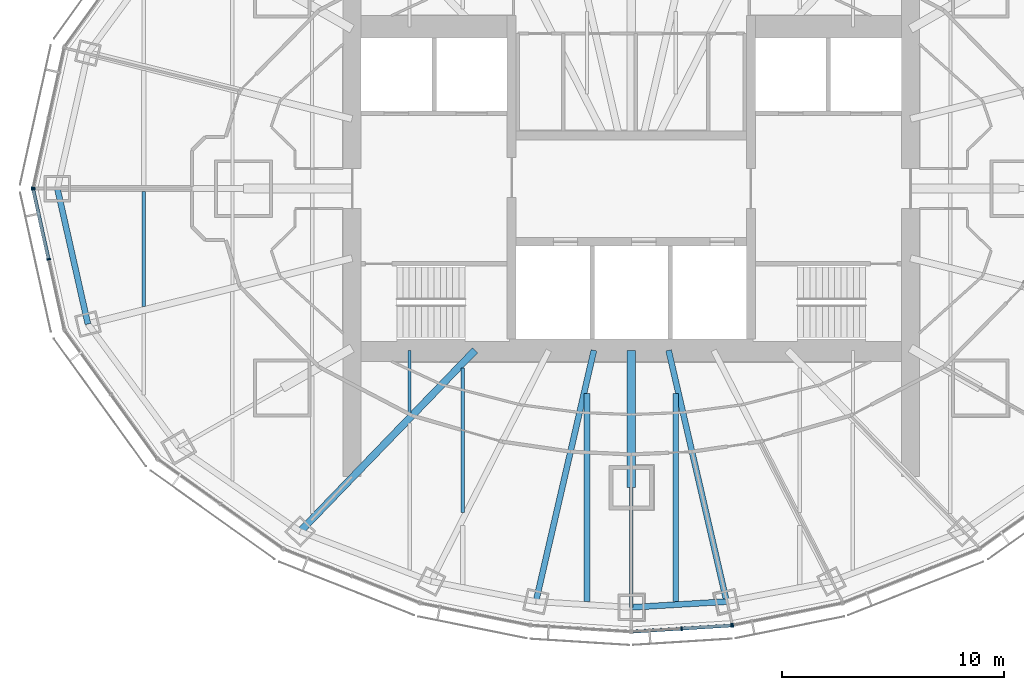
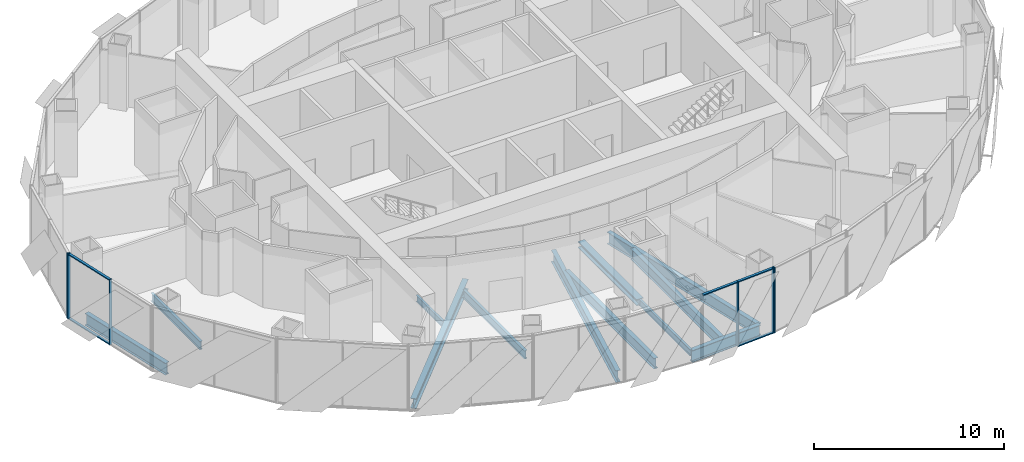
# One storey, part 3 of 17: 12 beams, 11 members, 4 elements without a shape of their own.
"""IFC4 building model written with IfcOpenShell, lengths in metres."""

import ifcopenshell
import ifcopenshell.guid

model = None  # the IFC model being written
_history = None  # IfcOwnerHistory: only IFC2X3 demands one
_inside = {}  # id of a spatial element -> (the spatial element, [elements in it])
_under = {}  # id of a project, library or spatial element -> (it, [spatial elements below it])
_declared = {}  # id of a project -> (the project, [libraries it declares])
_typed = {}  # id of a type object -> (the type object, [elements of that type])
_made_of = {}  # id of a material, layer set ... -> (it, [elements and type objects made of it])


def new_model(schema):
    """Start an empty IFC model of exactly this schema.

    Asked for "IFC4X3", IfcOpenShell would pick the latest addendum, in which some entities
    have other attributes; the version numbers below select the first issue.
    IFC2X3 requires an IfcOwnerHistory on every rooted entity: one is made here for all.
    """
    global model, _history
    if schema == "IFC4X3":
        model = ifcopenshell.file(schema_version=(4, 3, 0, 0))
    else:
        model = ifcopenshell.file(schema=schema)
    _inside.clear()
    _under.clear()
    _declared.clear()
    _typed.clear()
    _made_of.clear()
    _history = None
    if model.schema == "IFC2X3":
        org = make("IfcOrganization", Name="unknown")
        user = make(
            "IfcPersonAndOrganization",
            ThePerson=make("IfcPerson", FamilyName="unknown"),
            TheOrganization=org,
        )
        app = make(
            "IfcApplication",
            ApplicationDeveloper=org,
            Version="unknown",
            ApplicationFullName="unknown",
            ApplicationIdentifier="unknown",
        )
        _history = make(
            "IfcOwnerHistory",
            OwningUser=user,
            OwningApplication=app,
            ChangeAction="ADDED",
            CreationDate=0,
        )
    return model


def make(cls, **values):
    """One entity of the class cls with the attributes given. An attribute that is None is left unset."""
    return model.create_entity(
        cls, **{name: value for name, value in values.items() if value is not None}
    )


def rooted(cls, **values):
    """An entity with a GlobalId (a new one), such as an element, a storey or a relation."""
    return make(cls, GlobalId=ifcopenshell.guid.new(), OwnerHistory=_history, **values)


def si_unit(unit_type, name, prefix=None):
    """IfcSIUnit, for example si_unit("LENGTHUNIT", "METRE", prefix="MILLI")."""
    return make("IfcSIUnit", UnitType=unit_type, Prefix=prefix, Name=name)


def assignment(units):
    """IfcUnitAssignment: the units of a project."""
    return None if units is None else make("IfcUnitAssignment", Units=units)


def point(xyz):
    """IfcCartesianPoint."""
    return None if xyz is None else make("IfcCartesianPoint", Coordinates=xyz)


def direction(xyz):
    """IfcDirection."""
    return None if xyz is None else make("IfcDirection", DirectionRatios=xyz)


def frame(location, z_axis=None, x_axis=None):
    """IfcAxis2Placement3D, a coordinate frame: its origin and axes. An axis left out is left unset."""
    return make(
        "IfcAxis2Placement3D",
        Location=point(location),
        Axis=direction(z_axis),
        RefDirection=direction(x_axis),
    )


def frame_2d(location, x_axis=None):
    """IfcAxis2Placement2D, a coordinate frame in the plane: its origin and x axis."""
    return make(
        "IfcAxis2Placement2D", Location=point(location), RefDirection=direction(x_axis)
    )


def origin():
    """The frame at (0, 0, 0) with its axes left unset."""
    return frame((0.0, 0.0, 0.0))


def origin_2d():
    """The frame at (0, 0) in the plane with its x axis left unset."""
    return frame_2d((0.0, 0.0))


def place(relative_to, where):
    """IfcLocalPlacement: puts the frame where relative to a parent placement (None: the world)."""
    return make(
        "IfcLocalPlacement", PlacementRelTo=relative_to, RelativePlacement=where
    )


def context(
    kind, dimensions, precision=None, world=None, true_north=None, identifier=None
):
    """IfcGeometricRepresentationContext, for example the 3D "Model" context."""
    return make(
        "IfcGeometricRepresentationContext",
        ContextIdentifier=identifier,
        ContextType=kind,
        CoordinateSpaceDimension=dimensions,
        Precision=precision,
        WorldCoordinateSystem=world,
        TrueNorth=true_north,
    )


def subcontext(parent, identifier, kind, view, scale=None):
    """IfcGeometricRepresentationSubContext, for example "Body" below "Model"."""
    return make(
        "IfcGeometricRepresentationSubContext",
        ContextIdentifier=identifier,
        ContextType=kind,
        ParentContext=parent,
        TargetScale=scale,
        TargetView=view,
    )


def project(units=None, contexts=None):
    """IfcProject with its units and contexts."""
    return rooted(
        "IfcProject",
        Name="project",
        RepresentationContexts=contexts,
        UnitsInContext=assignment(units),
    )


def spatial(cls, under=None, at=None, **own):
    """A site, building, storey or space (cls), placed at a placement, below another one or the project."""
    s = rooted(cls, ObjectPlacement=at, **own)
    if under is not None:
        _under.setdefault(under.id(), (under, []))[1].append(s)
    return s


def profile(cls, at=None, kind="AREA", **sizes):
    """A parametric profile (cls). Its sizes go by their IFC names, for example OverallWidth=200.0."""
    return make(cls, ProfileType=kind, Position=at, **sizes)


def rectangle(**sizes):
    """IfcRectangleProfileDef."""
    return profile("IfcRectangleProfileDef", **sizes)


def i_section(**sizes):
    """IfcIShapeProfileDef."""
    return profile("IfcIShapeProfileDef", **sizes)


def extrude(swept, where, along, depth):
    """IfcExtrudedAreaSolid: the profile swept, set in the frame where, extruded along a direction by depth."""
    return make(
        "IfcExtrudedAreaSolid",
        SweptArea=swept,
        Position=where,
        ExtrudedDirection=direction(along),
        Depth=depth,
    )


def shape(context_of_items, identifier, shape_type, items):
    """IfcShapeRepresentation: the items that make up one representation, for example the "Body"."""
    return make(
        "IfcShapeRepresentation",
        ContextOfItems=context_of_items,
        RepresentationIdentifier=identifier,
        RepresentationType=shape_type,
        Items=items,
    )


def material(Name=None, Category=None):
    """IfcMaterial."""
    return make("IfcMaterial", Name=Name, Category=Category)


def material_profile(
    of_material, cross_section, Name=None, Category=None, Priority=None
):
    """IfcMaterialProfile: a cross section and its material."""
    return make(
        "IfcMaterialProfile",
        Name=Name,
        Material=of_material,
        Profile=cross_section,
        Priority=Priority,
        Category=Category,
    )


def profile_set(profiles, Name=None, composite=None):
    """IfcMaterialProfileSet."""
    return make(
        "IfcMaterialProfileSet",
        Name=Name,
        MaterialProfiles=profiles,
        CompositeProfile=composite,
    )


def made_of(thing, what):
    """Note that an element or type object is made of a material, layer set ...; save() writes the relation."""
    if what is not None:
        _made_of.setdefault(what.id(), (what, []))[1].append(thing)
    return thing


def type_object(cls, material=None, **own):
    """A type object (cls), such as IfcWallType, which elements share."""
    return made_of(rooted(cls, **own), material)


def element(
    cls,
    number,
    at=None,
    inside=None,
    cuts=None,
    type_object=None,
    material=None,
    context=None,
    identifier="Body",
    shape_type=None,
    held_by="IfcProductDefinitionShape",
    body=None,
    shapes=None,
    **own,
):
    """One element of the class cls, such as IfcWall. Its Tag is "e" and its number.

    at: its placement. inside: the storey or other place that contains it. cuts: it is an
    opening in that element (IfcRelVoidsElement). A single representation is given by context,
    identifier, shape_type and body (its items); several are given by shapes. held_by: the class
    of the entity that holds the representations. save() writes the other relations.
    """
    e = rooted(cls, Tag="e%d" % number, ObjectPlacement=at, **own)
    if body is not None:
        shapes = [shape(context, identifier, shape_type, body)]
    if shapes is not None:
        e.Representation = make(held_by, Representations=shapes)
    if inside is not None:
        _inside.setdefault(inside.id(), (inside, []))[1].append(e)
    if cuts is not None:
        rooted(
            "IfcRelVoidsElement", RelatingBuildingElement=cuts, RelatedOpeningElement=e
        )
    if type_object is not None:
        _typed.setdefault(type_object.id(), (type_object, []))[1].append(e)
    return made_of(e, material)


def aggregate(whole, parts):
    """IfcRelAggregates: a whole, such as a stair, and the parts it consists of."""
    return rooted("IfcRelAggregates", RelatingObject=whole, RelatedObjects=parts)


def save(model, path):
    """Write the relations noted so far, then the file.

    IfcRelAggregates (storeys below a building ...), IfcRelContainedInSpatialStructure (elements
    in a storey), IfcRelDefinesByType, IfcRelAssociatesMaterial and IfcRelDeclares: one each for
    every whole, place, type object, material and project.
    """
    for whole, parts in _under.values():
        aggregate(whole, parts)
    for where, things in _inside.values():
        rooted(
            "IfcRelContainedInSpatialStructure",
            RelatedElements=things,
            RelatingStructure=where,
        )
    for kind, things in _typed.values():
        rooted("IfcRelDefinesByType", RelatedObjects=things, RelatingType=kind)
    for what, things in _made_of.values():
        rooted("IfcRelAssociatesMaterial", RelatedObjects=things, RelatingMaterial=what)
    for by, libraries in _declared.values():
        rooted("IfcRelDeclares", RelatingContext=by, RelatedDefinitions=libraries)
    model.write(path)


model = new_model("IFC4")

# Units and contexts
model_context = context("Model", 3, precision=1e-05, world=origin(), true_north=direction((0.0, 1.0)))
body_context = subcontext(model_context, "Body", "Model", "MODEL_VIEW")
ifc_project = project(units=[si_unit("LENGTHUNIT", "METRE"), si_unit("AREAUNIT", "SQUARE_METRE"), si_unit("VOLUMEUNIT", "CUBIC_METRE"), si_unit("PLANEANGLEUNIT", "RADIAN"), si_unit("MASSUNIT", "GRAM", prefix="KILO")], contexts=[model_context])

# Site, building, storey
site_placement = place(None, origin())
site = spatial("IfcSite", under=ifc_project, at=site_placement, CompositionType="ELEMENT")
building_placement = place(site_placement, origin())
building = spatial("IfcBuilding", under=site, at=building_placement, Name="Lantaw Convention Tower", CompositionType="ELEMENT")
storey_placement = place(building_placement, frame((0.0, 0.0, 215.800048828125)))
storey = spatial("IfcBuildingStorey", under=building, at=storey_placement, Name="L50", CompositionType="ELEMENT", Elevation=215.800048828125)

# Beams
ifc_material_1 = material(Name="Steel ASTM A992", Category="steel")
ifc_material_profile_1 = material_profile(ifc_material_1, i_section(OverallWidth=0.2666015625, OverallDepth=0.76953125, WebThickness=0.015625, FlangeThickness=0.025390625, FilletRadius=0.0126953125, at=origin_2d()), Name="W30X132")
ifc_profile_set_1 = profile_set([ifc_material_profile_1], Name="Steel ASTM A992")
beam_type_1 = type_object("IfcBeamType", Name="Beam E W30X132", PredefinedType="SPANDREL", material=ifc_profile_set_1)
beam_1_placement = place(storey_placement, frame((-25.89990234375, 0.0, -0.534912109375), z_axis=(0.219857926596, -0.97553190215, 0.0), x_axis=(0.97553190215, 0.219857926596, 0.0)))
element("IfcBeam", 1, at=beam_1_placement, inside=storey, type_object=beam_type_1, Name="Edge beam 13", PredefinedType="SPANDREL", context=body_context, shape_type="SweptSolid", body=[
    extrude(i_section(OverallWidth=0.2666015625, OverallDepth=0.76953125, WebThickness=0.015625, FlangeThickness=0.025390625, FilletRadius=0.0126953125, at=origin_2d()), origin(), (0.0, 0.0, 1.0), 6.267333984375),
])
beam_2_placement = place(storey_placement, frame((0.0, -18.89990234375, -0.534912109375), z_axis=(0.998210730897, 0.059794119452, 0.0), x_axis=(-0.059794119452, 0.998210730897, 0.0)))
element("IfcBeam", 2, at=beam_2_placement, inside=storey, type_object=beam_type_1, Name="Edge beam 19", PredefinedType="SPANDREL", context=body_context, shape_type="SweptSolid", body=[
    extrude(i_section(OverallWidth=0.2666015625, OverallDepth=0.76953125, WebThickness=0.015625, FlangeThickness=0.025390625, FilletRadius=0.0126953125, at=origin_2d()), origin(), (0.0, 0.0, 1.0), 4.311767578125),
])
ifc_material_profile_2 = material_profile(ifc_material_1, i_section(OverallWidth=0.140380859375, OverallDepth=0.40380859375, WebThickness=0.007080078125, FlangeThickness=0.01123046875, FilletRadius=0.01025390625, at=origin_2d()), Name="W16X31")
ifc_profile_set_2 = profile_set([ifc_material_profile_2], Name="Steel ASTM A992")
beam_type_2 = type_object("IfcBeamType", Name="Beam G W16X31", PredefinedType="BEAM", material=ifc_profile_set_2)
beam_3_placement = place(storey_placement, frame((0.0, -13.5, -0.35205078125), z_axis=(0.0, -1.0, 0.0), x_axis=(1.0, 0.0, 0.0)))
element("IfcBeam", 3, at=beam_3_placement, inside=storey, type_object=beam_type_2, Name="Floor girder on ray 19", PredefinedType="BEAM", context=body_context, shape_type="SweptSolid", body=[
    extrude(i_section(OverallWidth=0.140380859375, OverallDepth=0.40380859375, WebThickness=0.007080078125, FlangeThickness=0.01123046875, FilletRadius=0.01025390625, at=origin_2d()), origin(), (0.0, 0.0, 1.0), 5.39990234375),
])
ifc_material_profile_3 = material_profile(ifc_material_1, i_section(OverallWidth=0.32763671875, OverallDepth=0.64013671875, WebThickness=0.01904296875, FlangeThickness=0.033935546875, FilletRadius=0.0126953125, at=origin_2d()), Name="W24X176")
ifc_profile_set_3 = profile_set([ifc_material_profile_3], Name="Steel ASTM A992")
beam_type_3 = type_object("IfcBeamType", Name="Beam G W24X176", PredefinedType="BEAM", material=ifc_profile_set_3)
beam_4_placement = place(storey_placement, frame((-7.049560546875, -7.300048828125, -0.469970703125), z_axis=(-0.694657766726, -0.719340383356, 0.0), x_axis=(0.719340383356, -0.694657766726, 0.0)))
element("IfcBeam", 4, at=beam_4_placement, inside=storey, type_object=beam_type_3, Name="Floor girder on ray 16", PredefinedType="BEAM", context=body_context, shape_type="SweptSolid", body=[
    extrude(i_section(OverallWidth=0.32763671875, OverallDepth=0.64013671875, WebThickness=0.01904296875, FlangeThickness=0.033935546875, FilletRadius=0.0126953125, at=origin_2d()), origin(), (0.0, 0.0, 1.0), 11.364990234375),
])
ifc_material_profile_4 = material_profile(ifc_material_1, i_section(OverallWidth=0.2666015625, OverallDepth=0.7568359375, WebThickness=0.013916015625, FlangeThickness=0.019287109375, FilletRadius=0.0126953125, at=origin_2d()), Name="W30X108")
ifc_profile_set_4 = profile_set([ifc_material_profile_4], Name="Steel ASTM A992")
beam_type_4 = type_object("IfcBeamType", Name="Beam G W30X108", PredefinedType="BEAM", material=ifc_profile_set_4)
for number, where, z_axis, x_axis, name in (
    (5, (-1.685302734375, -7.300048828125, -0.528564453125), (-0.224962134377, -0.974367506692, 0.0), (0.974367506692, -0.224962134377, 0.0), "Floor girder on ray 18"),
    (6, (1.685302734375, -7.300048828125, -0.528564453125), (0.224962134377, -0.974367506692, 0.0), (0.974367506692, 0.224962134377, 0.0), "Floor girder on ray 20"),
):
    element("IfcBeam", number, at=place(storey_placement, frame(where, z_axis=z_axis, x_axis=x_axis)), inside=storey, type_object=beam_type_4, Name=name, PredefinedType="BEAM", context=body_context, shape_type="SweptSolid", body=[
        extrude(i_section(OverallWidth=0.2666015625, OverallDepth=0.7568359375, WebThickness=0.013916015625, FlangeThickness=0.019287109375, FilletRadius=0.0126953125, at=origin_2d()), origin(), (0.0, 0.0, 1.0), 11.640380859375),
    ])
ifc_material_profile_5 = material_profile(ifc_material_1, i_section(OverallWidth=0.40380859375, OverallDepth=0.406494140625, WebThickness=0.027099609375, FlangeThickness=0.043701171875, FilletRadius=0.01513671875, at=origin_2d()), Name="W14X233")
ifc_profile_set_5 = profile_set([ifc_material_profile_5], Name="Steel ASTM A992")
beam_type_5 = type_object("IfcBeamType", Name="Beam GM W14X233", PredefinedType="BEAM", material=ifc_profile_set_5)
beam_5_placement = place(storey_placement, frame((0.0, -7.300048828125, -0.353271484375), z_axis=(0.0, -1.0, 0.0), x_axis=(1.0, 0.0, 0.0)))
element("IfcBeam", 7, at=beam_5_placement, inside=storey, type_object=beam_type_5, Name="Core link beam on ray 19", PredefinedType="BEAM", context=body_context, shape_type="SweptSolid", body=[
    extrude(i_section(OverallWidth=0.40380859375, OverallDepth=0.406494140625, WebThickness=0.027099609375, FlangeThickness=0.043701171875, FilletRadius=0.01513671875, at=origin_2d()), origin(), (0.0, 0.0, 1.0), 6.199951171875),
])
ifc_material_profile_6 = material_profile(ifc_material_1, i_section(OverallWidth=0.140380859375, OverallDepth=0.40380859375, WebThickness=0.007080078125, FlangeThickness=0.01123046875, FilletRadius=0.01025390625, at=origin_2d()), Name="W16X31")
ifc_profile_set_6 = profile_set([ifc_material_profile_6], Name="Steel ASTM A992")
beam_type_6 = type_object("IfcBeamType", Name="Beam J W16X31", PredefinedType="JOIST", material=ifc_profile_set_6)
beam_6_placement = place(storey_placement, frame((-10.0, -10.119384765625, -0.35205078125), z_axis=(0.0, 1.0, 0.0), x_axis=(-1.0, 0.0, 0.0)))
element("IfcBeam", 8, at=beam_6_placement, inside=storey, type_object=beam_type_6, Name="Floor joist", PredefinedType="JOIST", context=body_context, shape_type="SweptSolid", body=[
    extrude(i_section(OverallWidth=0.140380859375, OverallDepth=0.40380859375, WebThickness=0.007080078125, FlangeThickness=0.01123046875, FilletRadius=0.01025390625, at=origin_2d()), origin(), (0.0, 0.0, 1.0), 2.8193359375),
])
ifc_material_profile_7 = material_profile(ifc_material_1, i_section(OverallWidth=0.1650390625, OverallDepth=0.52587890625, WebThickness=0.0087890625, FlangeThickness=0.011474609375, FilletRadius=0.0126953125, at=origin_2d()), Name="W21X44")
ifc_profile_set_7 = profile_set([ifc_material_profile_7], Name="Steel ASTM A992")
beam_type_7 = type_object("IfcBeamType", Name="Beam J W21X44", PredefinedType="JOIST", material=ifc_profile_set_7)
beam_7_placement = place(storey_placement, frame((-22.0, -5.326904296875, -0.412841796875), z_axis=(0.0, 1.0, 0.0), x_axis=(-1.0, 0.0, 0.0)))
element("IfcBeam", 9, at=beam_7_placement, inside=storey, type_object=beam_type_7, Name="Floor joist", PredefinedType="JOIST", context=body_context, shape_type="SweptSolid", body=[
    extrude(i_section(OverallWidth=0.1650390625, OverallDepth=0.52587890625, WebThickness=0.0087890625, FlangeThickness=0.011474609375, FilletRadius=0.0126953125, at=origin_2d()), origin(), (0.0, 0.0, 1.0), 5.199951171875),
])
beam_8_placement = place(storey_placement, frame((-7.60009765625, -14.6220703125, -0.412841796875), z_axis=(0.0, 1.0, 0.0), x_axis=(-1.0, 0.0, 0.0)))
element("IfcBeam", 10, at=beam_8_placement, inside=storey, type_object=beam_type_7, Name="Floor joist", PredefinedType="JOIST", context=body_context, shape_type="SweptSolid", body=[
    extrude(i_section(OverallWidth=0.1650390625, OverallDepth=0.52587890625, WebThickness=0.0087890625, FlangeThickness=0.011474609375, FilletRadius=0.0126953125, at=origin_2d()), origin(), (0.0, 0.0, 1.0), 6.51611328125),
])
ifc_material_profile_8 = material_profile(ifc_material_1, i_section(OverallWidth=0.25390625, OverallDepth=0.683349609375, WebThickness=0.012451171875, FlangeThickness=0.01904296875, FilletRadius=0.01513671875, at=origin_2d()), Name="W27X94")
ifc_profile_set_8 = profile_set([ifc_material_profile_8], Name="Steel ASTM A992")
beam_type_8 = type_object("IfcBeamType", Name="Beam J W27X94", PredefinedType="JOIST", material=ifc_profile_set_8)
for number, where, z_axis, x_axis, name in (
    (11, (-2.0, -18.646484375, -0.49169921875), (0.0, 1.0, 0.0), (-1.0, 0.0, 0.0), "Floor joist"),
    (12, (2.0, -18.646484375, -0.49169921875), (0.0, 1.0, 0.0), (-1.0, 0.0, 0.0), "Floor joist"),
):
    element("IfcBeam", number, at=place(storey_placement, frame(where, z_axis=z_axis, x_axis=x_axis)), inside=storey, type_object=beam_type_8, Name=name, PredefinedType="JOIST", context=body_context, shape_type="SweptSolid", body=[
        extrude(i_section(OverallWidth=0.25390625, OverallDepth=0.683349609375, WebThickness=0.012451171875, FlangeThickness=0.01904296875, FilletRadius=0.01513671875, at=origin_2d()), origin(), (0.0, 0.0, 1.0), 9.390625),
    ])

# Curtain wall, member
ifc_material_2 = material(Name="Aluminium framed curtain wall", Category="aluminium")
curtain_wall_type = type_object("IfcCurtainWallType", Name="Office curtain wall high rise, pale aluminium", PredefinedType="USERDEFINED", material=ifc_material_2)
curtain_wall_1_placement = place(storey_placement, origin())
curtain_wall_1 = element("IfcCurtainWall", 13, at=curtain_wall_1_placement, inside=storey, type_object=curtain_wall_type, Name="Office curtain wall high rise, pale aluminium L50", ObjectType="UNITISED CURTAIN WALL", PredefinedType="USERDEFINED")
ifc_material_3 = material(Name="Aluminium 6063-T6", Category="aluminium")
ifc_material_profile_9 = material_profile(ifc_material_3, rectangle(XDim=0.179931640625, YDim=0.06494140625, at=origin_2d()), Name="CW-O2 mullion 65x180")
ifc_profile_set_9 = profile_set([ifc_material_profile_9], Name="Aluminium 6063-T6")
member_type_1 = type_object("IfcMemberType", Name="CW-O2 mullion 65x180", PredefinedType="MULLION", material=ifc_profile_set_9)
member_1_placement = place(storey_placement, frame((-26.992919921875, 0.03173828125, -0.150146484375), z_axis=(0.0, 0.0, 1.0), x_axis=(0.976417396437, -0.215891333626, 0.0)))
member_1 = element("IfcMember", 14, at=member_1_placement, type_object=member_type_1, Name="CW-O2 mullion 3", PredefinedType="MULLION", context=body_context, shape_type="SweptSolid", body=[
    extrude(rectangle(XDim=0.179931640625, YDim=0.06494140625, at=origin_2d()), origin(), (0.0, 0.0, 1.0), 4.2001953125),
])
aggregate(curtain_wall_1, [member_1])

# Curtain wall, members
curtain_wall_2_placement = place(storey_placement, origin())
curtain_wall_2 = element("IfcCurtainWall", 15, at=curtain_wall_2_placement, inside=storey, type_object=curtain_wall_type, Name="Office curtain wall high rise, pale aluminium L50", ObjectType="UNITISED CURTAIN WALL", PredefinedType="USERDEFINED")
member_2_placement = place(storey_placement, frame((-26.992919921875, -0.03173828125, -0.150146484375), z_axis=(0.0, 0.0, 1.0), x_axis=(0.976417396437, 0.215891333626, 0.0)))
member_2 = element("IfcMember", 16, at=member_2_placement, type_object=member_type_1, Name="CW-O2 mullion 1", PredefinedType="MULLION", context=body_context, shape_type="SweptSolid", body=[
    extrude(rectangle(XDim=0.179931640625, YDim=0.06494140625, at=origin_2d()), origin(), (0.0, 0.0, 1.0), 4.2001953125),
])
member_3_placement = place(storey_placement, frame((-26.294677734375, -3.190185546875, -0.150146484375), z_axis=(0.0, 0.0, 1.0), x_axis=(0.976417396437, 0.215891333626, 0.0)))
member_3 = element("IfcMember", 17, at=member_3_placement, type_object=member_type_1, Name="CW-O2 mullion 2", PredefinedType="MULLION", context=body_context, shape_type="SweptSolid", body=[
    extrude(rectangle(XDim=0.179931640625, YDim=0.06494140625, at=origin_2d()), origin(), (0.0, 0.0, 1.0), 4.2001953125),
])

curtain_wall_3_placement = place(storey_placement, origin())
curtain_wall_3 = element("IfcCurtainWall", 18, at=curtain_wall_3_placement, inside=storey, type_object=curtain_wall_type, Name="Office curtain wall high rise, pale aluminium L50", ObjectType="UNITISED CURTAIN WALL", PredefinedType="USERDEFINED")
member_4_placement = place(storey_placement, frame((2.275634765625, -19.85693359375, -0.150146484375), z_axis=(0.0, 0.0, 1.0), x_axis=(-0.062757983884, 0.998028774865, 0.0)))
member_4 = element("IfcMember", 19, at=member_4_placement, type_object=member_type_1, Name="CW-O2 mullion 2", PredefinedType="MULLION", context=body_context, shape_type="SweptSolid", body=[
    extrude(rectangle(XDim=0.179931640625, YDim=0.06494140625, at=origin_2d()), origin(), (0.0, 0.0, 1.0), 4.2001953125),
])
member_5_placement = place(storey_placement, frame((4.518798828125, -19.7158203125, -0.150146484375), z_axis=(0.0, 0.0, 1.0), x_axis=(-0.062757983884, 0.998028774865, 0.0)))
member_5 = element("IfcMember", 20, at=member_5_placement, type_object=member_type_1, Name="CW-O2 mullion 3", PredefinedType="MULLION", context=body_context, shape_type="SweptSolid", body=[
    extrude(rectangle(XDim=0.179931640625, YDim=0.06494140625, at=origin_2d()), origin(), (0.0, 0.0, 1.0), 4.2001953125),
])

# Curtain wall, member
curtain_wall_4_placement = place(storey_placement, origin())
curtain_wall_4 = element("IfcCurtainWall", 21, at=curtain_wall_4_placement, inside=storey, type_object=curtain_wall_type, Name="Office curtain wall high rise, pale aluminium L50", ObjectType="UNITISED CURTAIN WALL", PredefinedType="USERDEFINED")
member_6_placement = place(storey_placement, frame((4.583251953125, -19.70751953125, -0.150146484375), z_axis=(0.0, 0.0, 1.0), x_axis=(-0.197183095987, 0.980366679695, 0.0)))
member_6 = element("IfcMember", 22, at=member_6_placement, type_object=member_type_1, Name="CW-O2 mullion 1", PredefinedType="MULLION", context=body_context, shape_type="SweptSolid", body=[
    extrude(rectangle(XDim=0.179931640625, YDim=0.06494140625, at=origin_2d()), origin(), (0.0, 0.0, 1.0), 4.2001953125),
])
aggregate(curtain_wall_4, [member_6])

# Member
ifc_material_profile_10 = material_profile(ifc_material_3, rectangle(XDim=0.14990234375, YDim=0.06494140625, at=origin_2d()), Name="CW-O2 transom 65x150")
ifc_profile_set_10 = profile_set([ifc_material_profile_10], Name="Aluminium 6063-T6")
member_type_2 = type_object("IfcMemberType", Name="CW-O2 transom 65x150", PredefinedType="USERDEFINED", material=ifc_profile_set_10)
member_7_placement = place(storey_placement, frame((-26.986083984375, -0.0634765625, -0.117431640625), z_axis=(0.215894607042, -0.976416672661, 0.0), x_axis=(0.976416672661, 0.215894607042, 0.0)))
member_7 = element("IfcMember", 23, at=member_7_placement, type_object=member_type_2, Name="CW-O2 transom 1.1", ObjectType="TRANSOM", PredefinedType="USERDEFINED", context=body_context, shape_type="SweptSolid", body=[
    extrude(rectangle(XDim=0.14990234375, YDim=0.06494140625, at=origin_2d()), origin(), (0.0, 0.0, 1.0), 3.169677734375),
])

member_8_placement = place(storey_placement, frame((-26.986083984375, -0.0634765625, 4.017333984375), z_axis=(0.215894607042, -0.976416672661, 0.0), x_axis=(0.976416672661, 0.215894607042, 0.0)))
member_8 = element("IfcMember", 24, at=member_8_placement, type_object=member_type_2, Name="CW-O2 transom 1.2", ObjectType="TRANSOM", PredefinedType="USERDEFINED", context=body_context, shape_type="SweptSolid", body=[
    extrude(rectangle(XDim=0.14990234375, YDim=0.06494140625, at=origin_2d()), origin(), (0.0, 0.0, 1.0), 3.169677734375),
])

aggregate(curtain_wall_2, [member_2, member_3, member_7, member_8])

member_9_placement = place(storey_placement, frame((0.06494140625, -19.995849609375, 4.017333984375), z_axis=(0.998029003644, 0.062754345555, 0.0), x_axis=(-0.062754345555, 0.998029003644, 0.0)))
member_9 = element("IfcMember", 25, at=member_9_placement, type_object=member_type_2, Name="CW-O2 transom 1.2", ObjectType="TRANSOM", PredefinedType="USERDEFINED", context=body_context, shape_type="SweptSolid", body=[
    extrude(rectangle(XDim=0.14990234375, YDim=0.06494140625, at=origin_2d()), origin(), (0.0, 0.0, 1.0), 2.1826171875),
])

member_10_placement = place(storey_placement, frame((2.30810546875, -19.85498046875, -0.117431640625), z_axis=(0.998021991509, 0.062865765437, 0.0), x_axis=(-0.062865765437, 0.998021991509, 0.0)))
member_10 = element("IfcMember", 26, at=member_10_placement, type_object=member_type_2, Name="CW-O2 transom 2.1", ObjectType="TRANSOM", PredefinedType="USERDEFINED", context=body_context, shape_type="SweptSolid", body=[
    extrude(rectangle(XDim=0.14990234375, YDim=0.06494140625, at=origin_2d()), origin(), (0.0, 0.0, 1.0), 2.1826171875),
])

member_11_placement = place(storey_placement, frame((2.30810546875, -19.85498046875, 4.017333984375), z_axis=(0.998021991509, 0.062865765437, 0.0), x_axis=(-0.062865765437, 0.998021991509, 0.0)))
member_11 = element("IfcMember", 27, at=member_11_placement, type_object=member_type_2, Name="CW-O2 transom 2.2", ObjectType="TRANSOM", PredefinedType="USERDEFINED", context=body_context, shape_type="SweptSolid", body=[
    extrude(rectangle(XDim=0.14990234375, YDim=0.06494140625, at=origin_2d()), origin(), (0.0, 0.0, 1.0), 2.1826171875),
])

aggregate(curtain_wall_3, [member_4, member_5, member_9, member_10, member_11])

save(model, "model.ifc")
